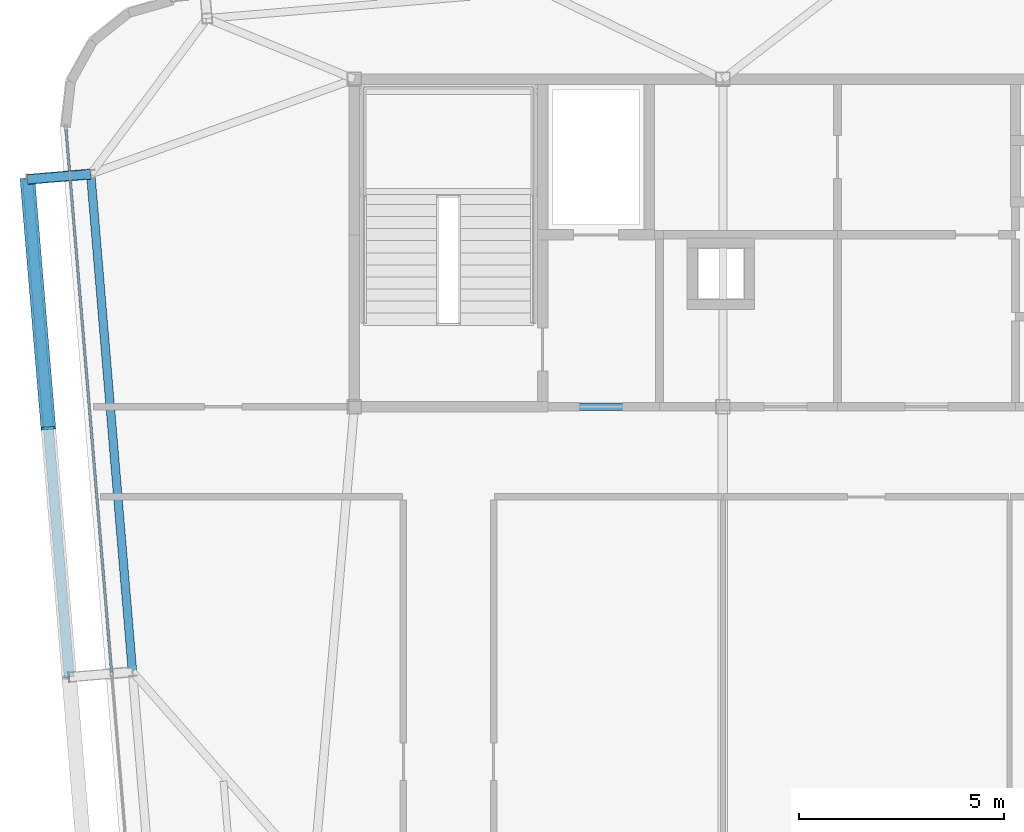
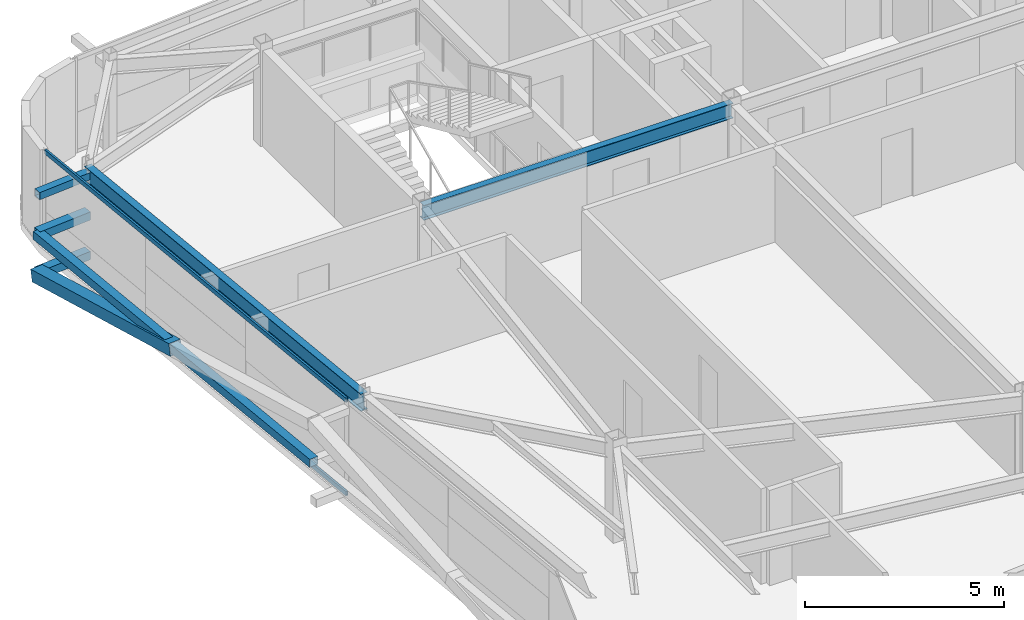
# One storey, part 13 of 39: 7 members, 2 beams, 1 element without a shape of its own.
"""IFC4 building model written with IfcOpenShell, lengths in metres."""

from ifc_helpers import new_model, si_unit, direction, frame, origin, origin_2d, place, context, subcontext, project, spatial, hollow_rectangle, i_section, extrude, source, transform, mapped, material, layer, layer_set, material_profile, profile_set, type_object, element, aggregate, save


model = new_model("IFC4")

# Units and contexts
model_context = context("Model", 3, precision=1e-05, world=origin(), true_north=direction((0.0, 1.0)))
body_context = subcontext(model_context, "Body", "Model", "MODEL_VIEW")
ifc_project = project(units=[si_unit("LENGTHUNIT", "METRE"), si_unit("AREAUNIT", "SQUARE_METRE"), si_unit("VOLUMEUNIT", "CUBIC_METRE"), si_unit("PLANEANGLEUNIT", "RADIAN"), si_unit("MASSUNIT", "GRAM", prefix="KILO")], contexts=[model_context])

# Site, building, storey
site_placement = place(None, origin())
site = spatial("IfcSite", under=ifc_project, at=site_placement, CompositionType="ELEMENT")
building_placement = place(site_placement, origin())
building = spatial("IfcBuilding", under=site, at=building_placement, Name="Taldren Reach Tower", CompositionType="ELEMENT")
storey_placement = place(building_placement, frame((0.0, 0.0, 178.85009765625)))
storey = spatial("IfcBuildingStorey", under=building, at=storey_placement, Name="L54", CompositionType="ELEMENT", Elevation=178.85009765625)

# Beams
ifc_material_1 = material(Name="Steel Gr 350 (350PLUS)", Category="steel")
ifc_material_profile_1 = material_profile(ifc_material_1, i_section(OverallWidth=0.19091796875, OverallDepth=0.4599609375, WebThickness=0.010009765625, FlangeThickness=0.01611328125, at=origin_2d()), Name="460UB82.1")
ifc_profile_set_1 = profile_set([ifc_material_profile_1], Name="Steel Gr 350 (350PLUS)")
beam_type_1 = type_object("IfcBeamType", Name="BM-UB460A", PredefinedType="BEAM", material=ifc_profile_set_1)
shared_shape_1 = source(origin(), body_context, "Body", "SweptSolid", [
    extrude(i_section(OverallWidth=0.19091796875, OverallDepth=0.4599609375, WebThickness=0.010009765625, FlangeThickness=0.01611328125, at=origin_2d()), origin(), (0.0, 0.0, 1.0), 9.0),
])
beam_1_placement = place(storey_placement, frame((19.0, 24.0, 2.699951171875), z_axis=(1.0, 0.0, 0.0), x_axis=(0.0, 1.0, 0.0)))
element("IfcBeam", 1, at=beam_1_placement, inside=storey, type_object=beam_type_1, Name="Core-spine girder L54-SP01", PredefinedType="BEAM", context=body_context, shape_type="MappedRepresentation", body=[
    mapped(shared_shape_1, transform((0.0, 0.0, 0.0), scale=1.0)),
])
ifc_material_profile_2 = material_profile(ifc_material_1, i_section(OverallWidth=0.208984375, OverallDepth=0.528076171875, WebThickness=0.009521484375, FlangeThickness=0.01318359375, at=origin_2d()), Name="530UB82.0")
ifc_profile_set_2 = profile_set([ifc_material_profile_2], Name="Steel Gr 350 (350PLUS)")
beam_type_2 = type_object("IfcBeamType", Name="SP-UB530B", PredefinedType="SPANDREL", material=ifc_profile_set_2)
shared_shape_2 = source(origin(), body_context, "Body", "SweptSolid", [
    extrude(i_section(OverallWidth=0.208984375, OverallDepth=0.528076171875, WebThickness=0.009521484375, FlangeThickness=0.01318359375, at=origin_2d()), origin(), (0.0, 0.0, 1.0), 12.199951171875),
])
beam_2_placement = place(storey_placement, frame((12.56201171875, 29.682373046875, 2.666015625), z_axis=(0.083668166953, -0.99649367175, 0.0), x_axis=(0.99649367175, 0.083668166953, 0.0)))
element("IfcBeam", 2, at=beam_2_placement, inside=storey, type_object=beam_type_2, Name="Perimeter spandrel B4 W3-W2 L54", PredefinedType="SPANDREL", context=body_context, shape_type="MappedRepresentation", body=[
    mapped(shared_shape_2, transform((0.0, 0.0, 0.0), scale=1.0)),
])

# Members
ifc_material_2 = material(Name="Steel Gr 450 (C450L0)", Category="steel")
ifc_material_profile_3 = material_profile(ifc_material_2, hollow_rectangle(XDim=0.219970703125, YDim=0.219970703125, WallThickness=0.00830078125, at=origin_2d()), Name="220x220x8.2SHS")
ifc_profile_set_3 = profile_set([ifc_material_profile_3], Name="Steel Gr 450 (C450L0)")
member_type_1 = type_object("IfcMemberType", Name="MB-TIE219", PredefinedType="STRUT", material=ifc_profile_set_3)
shared_shape_3 = source(origin(), body_context, "Body", "SweptSolid", [
    extrude(hollow_rectangle(XDim=0.219970703125, YDim=0.219970703125, WallThickness=0.00830078125, at=origin_2d()), origin(), (0.0, 0.0, 1.0), 1.54541015625),
])
member_1_placement = place(storey_placement, frame((12.557373046875, 29.68212890625, 2.64990234375), z_axis=(-0.99648887425, -0.083725285883, 0.0), x_axis=(0.083725285883, -0.99648887425, 0.0)))
element("IfcMember", 3, at=member_1_placement, inside=storey, type_object=member_type_1, Name="Exoskeleton diaphragm tie strut B4-W3 L54", PredefinedType="STRUT", context=body_context, shape_type="MappedRepresentation", body=[
    mapped(shared_shape_3, transform((0.0, 0.0, 0.0), scale=1.0)),
])
ifc_material_3 = material(Name="Steel Gr 350 (C350L0)", Category="steel")
ifc_material_profile_4 = material_profile(ifc_material_3, hollow_rectangle(XDim=0.25, YDim=0.25, WallThickness=0.010009765625, at=origin_2d()), Name="250x250x10.0SHS")
ifc_profile_set_4 = profile_set([ifc_material_profile_4], Name="Steel Gr 350 (C350L0)")
member_type_2 = type_object("IfcMemberType", Name="MB-POST250", PredefinedType="POST", material=ifc_profile_set_4)
shared_shape_4 = source(origin(), body_context, "Body", "SweptSolid", [
    extrude(hollow_rectangle(XDim=0.25, YDim=0.25, WallThickness=0.010009765625, at=origin_2d()), origin(), (0.0, 0.0, 1.0), 12.199951171875),
])
member_2_placement = place(storey_placement, frame((12.0380859375, 17.3955078125, 1.434814453125), z_axis=(-0.083668166953, 0.99649367175, 0.0), x_axis=(-0.99649367175, -0.083668166953, 0.0)))
element("IfcMember", 4, at=member_2_placement, inside=storey, type_object=member_type_2, Name="Exoskeleton mid-height ring chord B4-W2 L54", PredefinedType="POST", context=body_context, shape_type="MappedRepresentation", body=[
    mapped(shared_shape_4, transform((0.0, 0.0, 0.0), scale=1.0)),
])
shared_shape_5 = source(origin(), body_context, "Body", "SweptSolid", [
    extrude(hollow_rectangle(XDim=0.25, YDim=0.25, WallThickness=0.010009765625, at=origin_2d()), origin(), (0.0, 0.0, 1.0), 1.54541015625),
])
for number, where, z_axis, x_axis, name in (
    (5, (12.557373046875, 29.68212890625, 0.219970703125), (-0.99648887425, -0.083725285883, 0.0), (0.083725285883, -0.99648887425, 0.0), "Exoskeleton base diaphragm tie strut B4-W3 L54"),
    (6, (12.557373046875, 29.68212890625, 1.434814453125), (-0.99648887425, -0.083725285883, 0.0), (0.083725285883, -0.99648887425, 0.0), "Exoskeleton mid-tier diaphragm tie B4-W3 L54"),
):
    element("IfcMember", number, at=place(storey_placement, frame(where, z_axis=z_axis, x_axis=x_axis)), inside=storey, type_object=member_type_2, Name=name, PredefinedType="POST", context=body_context, shape_type="MappedRepresentation", body=[
        mapped(shared_shape_5, transform((0.0, 0.0, 0.0), scale=1.0)),
    ])
ifc_material_profile_5 = material_profile(ifc_material_2, hollow_rectangle(XDim=0.360107421875, YDim=0.360107421875, WallThickness=0.0126953125, at=origin_2d()), Name="360x360x12.7SHS")
ifc_profile_set_5 = profile_set([ifc_material_profile_5], Name="Steel Gr 450 (C450L0)")
member_type_3 = type_object("IfcMemberType", Name="MB-EXO356", PredefinedType="BRACE", material=ifc_profile_set_5)
shared_shape_6 = source(origin(), body_context, "Body", "SweptSolid", [
    extrude(hollow_rectangle(XDim=0.360107421875, YDim=0.360107421875, WallThickness=0.0126953125, at=origin_2d()), origin(), (0.0, 0.0, 1.0), 6.2197265625),
])
member_3_placement = place(storey_placement, frame((11.017333984375, 29.552734375, 0.219970703125), z_axis=(0.082076194186, -0.977299417909, 0.19531857593), x_axis=(0.996492003099, 0.083688038336, 0.0)))
element("IfcMember", 7, at=member_3_placement, inside=storey, type_object=member_type_3, Name="Exoskeleton Diagrid Brace B4-W2 L54", PredefinedType="BRACE", context=body_context, shape_type="MappedRepresentation", body=[
    mapped(shared_shape_6, transform((0.0, 0.0, 0.0), scale=1.0)),
])

# Curtain wall, members
ifc_material_4 = material(Name="Aluminium and Low-E Glass Unitised System", Category="aluminium")
ifc_layer = layer(ifc_material_4, 0.159912109375)
ifc_layer_set = layer_set([ifc_layer], Name="Aluminium and Low-E Glass Unitised System")
curtain_wall_type = type_object("IfcCurtainWallType", Name="CW-SYS-5", PredefinedType="NOTDEFINED", material=ifc_layer_set)
curtain_wall_placement = place(storey_placement, origin())
curtain_wall = element("IfcCurtainWall", 8, at=curtain_wall_placement, inside=storey, type_object=curtain_wall_type, Name="Unitised curtain wall CW-L54-W", PredefinedType="NOTDEFINED")
ifc_material_5 = material(Name="Anodised Aluminium 6063-T6", Category="aluminium")
ifc_material_profile_6 = material_profile(ifc_material_5, hollow_rectangle(XDim=0.06005859375, YDim=0.135009765625, WallThickness=0.00341796875, at=origin_2d()), Name="ALU-135x60x3.5RHS")
ifc_profile_set_6 = profile_set([ifc_material_profile_6], Name="Anodised Aluminium 6063-T6")
member_type_4 = type_object("IfcMemberType", Name="CW-TRN-150", PredefinedType="USERDEFINED", material=ifc_profile_set_6)
shared_shape_7 = source(origin(), body_context, "Body", "SweptSolid", [
    extrude(hollow_rectangle(XDim=0.06005859375, YDim=0.135009765625, WallThickness=0.00341796875, at=origin_2d()), origin(), (0.0, 0.0, 1.0), 13.295166015625),
])
member_4_placement = place(storey_placement, frame((11.959228515625, 30.765869140625, 0.02978515625), z_axis=(0.083662465438, -0.996494150448, 0.0), x_axis=(0.996494150448, 0.083662465438, 0.0)))
member_4 = element("IfcMember", 9, at=member_4_placement, type_object=member_type_4, Name="CW-5 transom 1.1", ObjectType="TRANSOM", PredefinedType="USERDEFINED", context=body_context, shape_type="MappedRepresentation", body=[
    mapped(shared_shape_7, transform((0.0, 0.0, 0.0), scale=1.0)),
])
member_5_placement = place(storey_placement, frame((11.959228515625, 30.765869140625, 2.89990234375), z_axis=(0.083662465438, -0.996494150448, 0.0), x_axis=(0.996494150448, 0.083662465438, 0.0)))
member_5 = element("IfcMember", 10, at=member_5_placement, type_object=member_type_4, Name="CW-5 transom 1.2", ObjectType="TRANSOM", PredefinedType="USERDEFINED", context=body_context, shape_type="MappedRepresentation", body=[
    mapped(shared_shape_7, transform((0.0, 0.0, 0.0), scale=1.0)),
])
aggregate(curtain_wall, [member_4, member_5])

save(model, "model.ifc")
